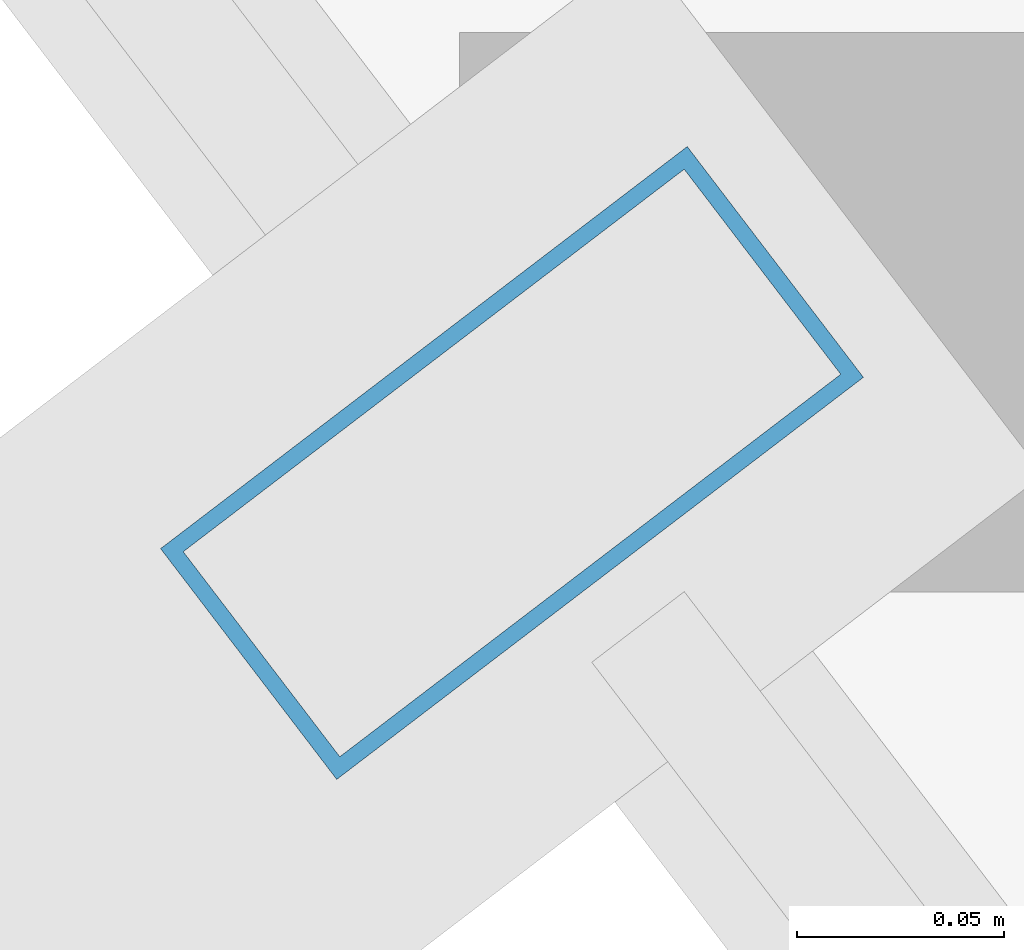
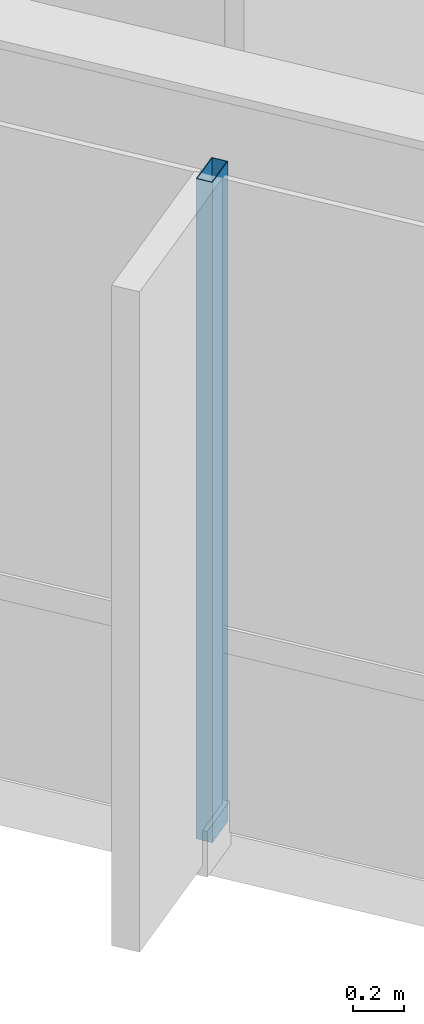
# One storey, part 5 of 22: 1 member, 1 element without a shape of its own.
"""IFC4 building model written with IfcOpenShell, lengths in metres."""

from ifc_helpers import new_model, si_unit, direction, frame, origin, origin_2d, place, context, subcontext, project, spatial, hollow_rectangle, extrude, material, layer, layer_set, material_profile, profile_set, type_object, element, aggregate, save


model = new_model("IFC4")

# Units and contexts
model_context = context("Model", 3, precision=1e-05, world=origin(), true_north=direction((0.0, 1.0)))
body_context = subcontext(model_context, "Body", "Model", "MODEL_VIEW")
ifc_project = project(units=[si_unit("LENGTHUNIT", "METRE"), si_unit("AREAUNIT", "SQUARE_METRE"), si_unit("VOLUMEUNIT", "CUBIC_METRE"), si_unit("PLANEANGLEUNIT", "RADIAN"), si_unit("MASSUNIT", "GRAM", prefix="KILO")], contexts=[model_context])

# Site, building, storey
site_placement = place(None, origin())
site = spatial("IfcSite", under=ifc_project, at=site_placement, CompositionType="ELEMENT")
building_placement = place(site_placement, origin())
building = spatial("IfcBuilding", under=site, at=building_placement, Name="Zarrinselat Tower", CompositionType="ELEMENT")
storey_placement = place(building_placement, frame((0.0, 0.0, 289.0)))
storey = spatial("IfcBuildingStorey", under=building, at=storey_placement, Name="L74", CompositionType="ELEMENT", Elevation=289.0)

# Curtain wall, member
ifc_material_1 = material(Name="Extruded Aluminium Alloy EN AW-6063 T6", Category="aluminium")
ifc_layer = layer(ifc_material_1, 0.169921875)
ifc_layer_set = layer_set([ifc_layer], Name="Extruded Aluminium Alloy EN AW-6063 T6")
curtain_wall_type = type_object("IfcCurtainWallType", Name="CWS-RES", PredefinedType="NOTDEFINED", material=ifc_layer_set)
curtain_wall_placement = place(storey_placement, origin())
curtain_wall = element("IfcCurtainWall", 1, at=curtain_wall_placement, inside=storey, type_object=curtain_wall_type, Name="L74 Unitised Curtain Wall CW-L74-E03", PredefinedType="NOTDEFINED")
ifc_material_2 = material(Name="Extruded Aluminium Alloy EN AW-6063 T6", Category="aluminium")
ifc_material_profile = material_profile(ifc_material_2, hollow_rectangle(XDim=0.070068359375, YDim=0.159912109375, WallThickness=0.00390625, at=origin_2d()), Name="RHS 160x70x4")
ifc_profile_set = profile_set([ifc_material_profile], Name="Extruded Aluminium Alloy EN AW-6063 T6")
member_type = type_object("IfcMemberType", Name="MEM-CW-MUL2", PredefinedType="MULLION", material=ifc_profile_set)
member_placement = place(storey_placement, frame((26.602294921875, 30.113525390625, 0.0), z_axis=(0.0, 0.0, 1.0), x_axis=(0.606801746242, -0.794853219631, 0.0)))
member = element("IfcMember", 2, at=member_placement, type_object=member_type, Name="CW-L74-E03 Mullion 5", PredefinedType="MULLION", context=body_context, shape_type="SweptSolid", body=[
    extrude(hollow_rectangle(XDim=0.070068359375, YDim=0.159912109375, WallThickness=0.00390625, at=origin_2d()), origin(), (0.0, 0.0, 1.0), 3.179931640625),
])
aggregate(curtain_wall, [member])

save(model, "model.ifc")
